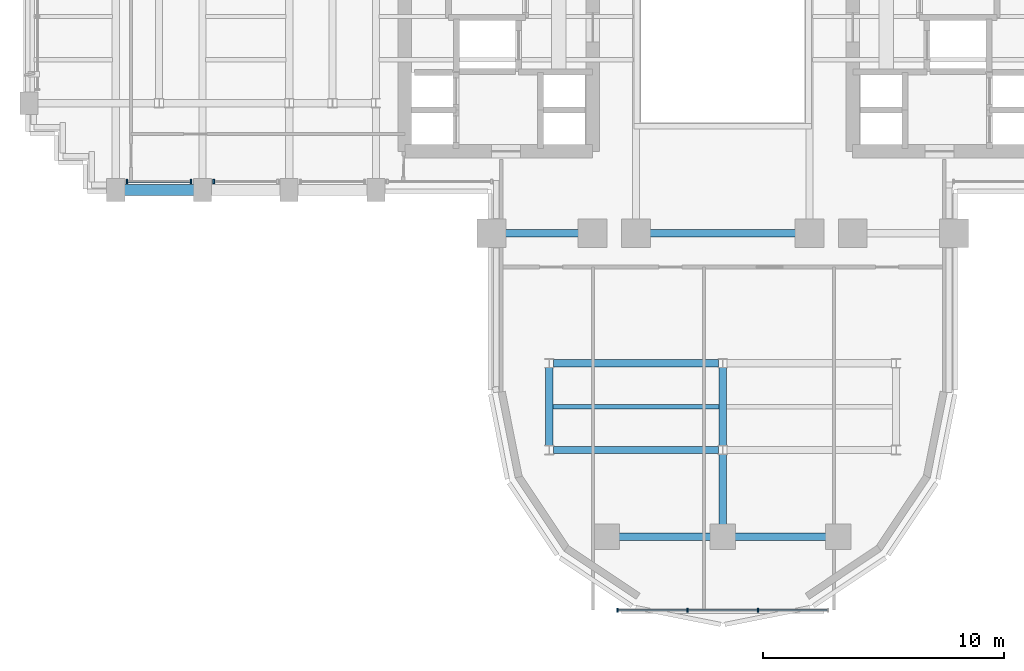
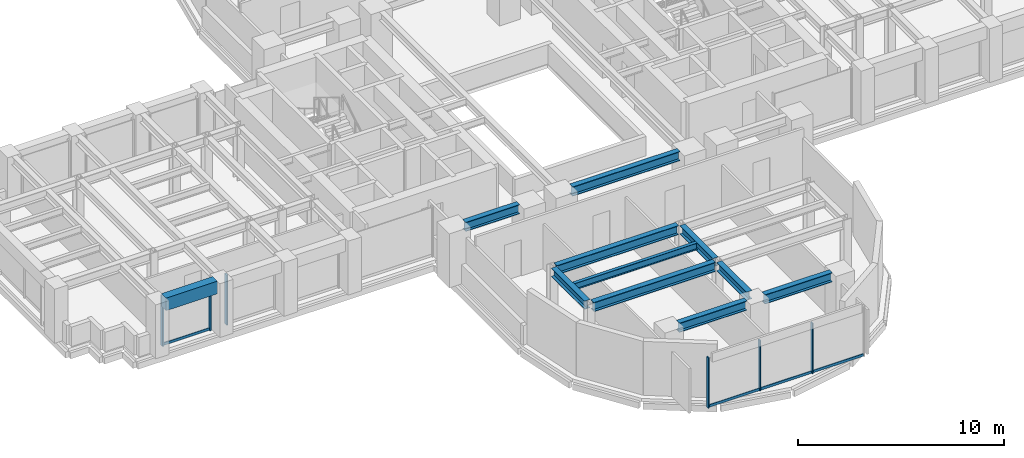
# One storey, part 3 of 16: 11 beams, 10 members, 3 elements without a shape of their own.
"""IFC4 building model written with IfcOpenShell, lengths in metres."""

from ifc_helpers import new_model, si_unit, direction, frame, origin, origin_2d, place, context, subcontext, project, spatial, rectangle, i_section, extrude, source, transform, mapped, material, material_profile, profile_set, type_object, element, aggregate, save


model = new_model("IFC4")

# Units and contexts
model_context = context("Model", 3, precision=1e-05, world=origin(), true_north=direction((0.0, 1.0)))
body_context = subcontext(model_context, "Body", "Model", "MODEL_VIEW")
ifc_project = project(units=[si_unit("LENGTHUNIT", "METRE"), si_unit("AREAUNIT", "SQUARE_METRE"), si_unit("VOLUMEUNIT", "CUBIC_METRE"), si_unit("PLANEANGLEUNIT", "RADIAN"), si_unit("MASSUNIT", "GRAM", prefix="KILO")], contexts=[model_context])

# Site, building, storey
site_placement = place(None, origin())
site = spatial("IfcSite", under=ifc_project, at=site_placement, CompositionType="ELEMENT")
building_placement = place(site_placement, origin())
building = spatial("IfcBuilding", under=site, at=building_placement, Name="Keilestroom Media Tower", CompositionType="ELEMENT")
storey_placement = place(building_placement, frame((0.0, 0.0, 78.199951171875)))
storey = spatial("IfcBuildingStorey", under=building, at=storey_placement, Name="L20", CompositionType="ELEMENT", Elevation=78.199951171875)

# Beams
ifc_material_1 = material(Name="Steel S355", Category="steel")
ifc_material_profile_1 = material_profile(ifc_material_1, i_section(OverallWidth=0.300048828125, OverallDepth=0.550048828125, WebThickness=0.012939453125, FlangeThickness=0.029052734375, at=origin_2d()), Name="HEB 550")
ifc_profile_set_1 = profile_set([ifc_material_profile_1], Name="Steel S355")
beam_type_1 = type_object("IfcBeamType", Name="Primary-Structural-Girder-HEB-550", PredefinedType="BEAM", material=ifc_profile_set_1)
shared_shape_1 = source(origin(), body_context, "Body", "SweptSolid", [
    extrude(i_section(OverallWidth=0.300048828125, OverallDepth=0.550048828125, WebThickness=0.012939453125, FlangeThickness=0.029052734375, at=origin_2d()), origin(), (0.0, 0.0, 1.0), 3.7900390625),
])
for number, where, z_axis, x_axis, name in (
    (1, (-4.294921875, -21.60009765625, 2.925048828125), (1.0, 0.0, 0.0), (0.0, 1.0, 0.0), "L20 Beam BG-5 BM-L20-EW-001"),
    (2, (0.5048828125, -21.60009765625, 2.925048828125), (1.0, 0.0, 0.0), (0.0, 1.0, 0.0), "L20 Beam BG-5 BM-L20-EW-002"),
):
    element("IfcBeam", number, at=place(storey_placement, frame(where, z_axis=z_axis, x_axis=x_axis)), inside=storey, type_object=beam_type_1, Name=name, PredefinedType="BEAM", context=body_context, shape_type="MappedRepresentation", body=[
        mapped(shared_shape_1, transform((0.0, 0.0, 0.0), x_axis=(1.0, 0.0, 0.0), y_axis=(0.0, 1.0, 0.0), z_axis=(0.0, 0.0, 1.0), scale=1.0)),
    ])
shared_shape_2 = source(origin(), body_context, "Body", "SweptSolid", [
    extrude(i_section(OverallWidth=0.300048828125, OverallDepth=0.550048828125, WebThickness=0.012939453125, FlangeThickness=0.029052734375, at=origin_2d()), origin(), (0.0, 0.0, 1.0), 6.836181640625),
])
for number, where, z_axis, x_axis, name in (
    (3, (-7.01806640625, -18.0, 2.925048828125), (1.0, 0.0, 0.0), (0.0, 1.0, 0.0), "L20 Beam BG-5 BM-L20-EW-003"),
    (4, (-7.01806640625, -14.39990234375, 2.925048828125), (1.0, 0.0, 0.0), (0.0, 1.0, 0.0), "L20 Beam BG-5 BM-L20-EW-005"),
):
    element("IfcBeam", number, at=place(storey_placement, frame(where, z_axis=z_axis, x_axis=x_axis)), inside=storey, type_object=beam_type_1, Name=name, PredefinedType="BEAM", context=body_context, shape_type="MappedRepresentation", body=[
        mapped(shared_shape_2, transform((0.0, 0.0, 0.0), x_axis=(1.0, 0.0, 0.0), y_axis=(0.0, 1.0, 0.0), z_axis=(0.0, 0.0, 1.0), scale=1.0)),
    ])
shared_shape_3 = source(origin(), body_context, "Body", "SweptSolid", [
    extrude(i_section(OverallWidth=0.300048828125, OverallDepth=0.550048828125, WebThickness=0.012939453125, FlangeThickness=0.029052734375, at=origin_2d()), origin(), (0.0, 0.0, 1.0), 3.0400390625),
])
beam_1_placement = place(storey_placement, frame((-9.02001953125, -9.0, 2.925048828125), z_axis=(1.0, 0.0, 0.0), x_axis=(0.0, 1.0, 0.0)))
element("IfcBeam", 5, at=beam_1_placement, inside=storey, type_object=beam_type_1, Name="L20 Beam BG-5 BM-L20-EW-007", PredefinedType="BEAM", context=body_context, shape_type="MappedRepresentation", body=[
    mapped(shared_shape_3, transform((0.0, 0.0, 0.0), x_axis=(1.0, 0.0, 0.0), y_axis=(0.0, 1.0, 0.0), z_axis=(0.0, 0.0, 1.0), scale=1.0)),
])
shared_shape_4 = source(origin(), body_context, "Body", "SweptSolid", [
    extrude(i_section(OverallWidth=0.300048828125, OverallDepth=0.550048828125, WebThickness=0.012939453125, FlangeThickness=0.029052734375, at=origin_2d()), origin(), (0.0, 0.0, 1.0), 6.0400390625),
])
beam_2_placement = place(storey_placement, frame((-3.02001953125, -9.0, 2.925048828125), z_axis=(1.0, 0.0, 0.0), x_axis=(0.0, 1.0, 0.0)))
element("IfcBeam", 6, at=beam_2_placement, inside=storey, type_object=beam_type_1, Name="L20 Beam BG-5 BM-L20-EW-009", PredefinedType="BEAM", context=body_context, shape_type="MappedRepresentation", body=[
    mapped(shared_shape_4, transform((0.0, 0.0, 0.0), x_axis=(1.0, 0.0, 0.0), y_axis=(0.0, 1.0, 0.0), z_axis=(0.0, 0.0, 1.0), scale=1.0)),
])
ifc_material_2 = material(Name="Precast concrete C40/50", Category="concrete")
ifc_material_profile_2 = material_profile(ifc_material_2, rectangle(XDim=0.449951171875, YDim=0.75, at=origin_2d()), Name="PC 450x750")
ifc_profile_set_2 = profile_set([ifc_material_profile_2], Name="Precast concrete C40/50")
beam_type_2 = type_object("IfcBeamType", Name="Perimeter-Spandrel-Beam-PC-450x750", PredefinedType="SPANDREL", material=ifc_profile_set_2)
shared_shape_5 = source(origin(), body_context, "Body", "SweptSolid", [
    extrude(rectangle(XDim=0.449951171875, YDim=0.75, at=origin_2d()), origin(), (0.0, 0.0, 1.0), 2.889892578125),
])
beam_3_placement = place(storey_placement, frame((-24.844970703125, -7.199951171875, 2.824951171875), z_axis=(1.0, 0.0, 0.0), x_axis=(0.0, 1.0, 0.0)))
element("IfcBeam", 7, at=beam_3_placement, inside=storey, type_object=beam_type_2, Name="L20 Beam SPB-1 BM-L20-EW-012", PredefinedType="SPANDREL", context=body_context, shape_type="MappedRepresentation", body=[
    mapped(shared_shape_5, transform((0.0, 0.0, 0.0), x_axis=(1.0, 0.0, 0.0), y_axis=(0.0, 1.0, 0.0), z_axis=(0.0, 0.0, 1.0), scale=1.0)),
])
ifc_material_profile_3 = material_profile(ifc_material_1, i_section(OverallWidth=0.300048828125, OverallDepth=0.5, WebThickness=0.012451171875, FlangeThickness=0.028076171875, at=origin_2d()), Name="HEB 500")
ifc_profile_set_3 = profile_set([ifc_material_profile_3], Name="Steel S355")
beam_type_3 = type_object("IfcBeamType", Name="Primary-Structural-Girder-HEB-500", PredefinedType="BEAM", material=ifc_profile_set_3)
shared_shape_6 = source(origin(), body_context, "Body", "SweptSolid", [
    extrude(i_section(OverallWidth=0.300048828125, OverallDepth=0.5, WebThickness=0.012451171875, FlangeThickness=0.028076171875, at=origin_2d()), origin(), (0.0, 0.0, 1.0), 3.23291015625),
])
for number, where, z_axis, x_axis, name in (
    (8, (-7.199951171875, -17.81640625, 2.949951171875), (0.0, 1.0, 0.0), (-1.0, 0.0, 0.0), "L20 Beam BG-6 BM-L20-NS-063"),
    (9, (0.0, -17.81640625, 2.949951171875), (0.0, 1.0, 0.0), (-1.0, 0.0, 0.0), "L20 Beam BG-6 BM-L20-NS-068"),
):
    element("IfcBeam", number, at=place(storey_placement, frame(where, z_axis=z_axis, x_axis=x_axis)), inside=storey, type_object=beam_type_3, Name=name, PredefinedType="BEAM", context=body_context, shape_type="MappedRepresentation", body=[
        mapped(shared_shape_6, transform((0.0, 0.0, 0.0), x_axis=(1.0, 0.0, 0.0), y_axis=(0.0, 1.0, 0.0), z_axis=(0.0, 0.0, 1.0), scale=1.0)),
    ])
shared_shape_7 = source(origin(), body_context, "Body", "SweptSolid", [
    extrude(i_section(OverallWidth=0.300048828125, OverallDepth=0.5, WebThickness=0.012451171875, FlangeThickness=0.028076171875, at=origin_2d()), origin(), (0.0, 0.0, 1.0), 2.911376953125),
])
beam_4_placement = place(storey_placement, frame((0.0, -21.094970703125, 2.949951171875), z_axis=(0.0, 1.0, 0.0), x_axis=(-1.0, 0.0, 0.0)))
element("IfcBeam", 10, at=beam_4_placement, inside=storey, type_object=beam_type_3, Name="L20 Beam BG-6 BM-L20-NS-067", PredefinedType="BEAM", context=body_context, shape_type="MappedRepresentation", body=[
    mapped(shared_shape_7, transform((0.0, 0.0, 0.0), x_axis=(1.0, 0.0, 0.0), y_axis=(0.0, 1.0, 0.0), z_axis=(0.0, 0.0, 1.0), scale=1.0)),
])
ifc_material_profile_4 = material_profile(ifc_material_1, i_section(OverallWidth=0.179931640625, OverallDepth=0.39990234375, WebThickness=0.008544921875, FlangeThickness=0.013427734375, at=origin_2d()), Name="IPE 400")
ifc_profile_set_4 = profile_set([ifc_material_profile_4], Name="Steel S355")
beam_type_4 = type_object("IfcBeamType", Name="Secondary-Floor-Joist-IPE-400", PredefinedType="JOIST", material=ifc_profile_set_4)
shared_shape_8 = source(origin(), body_context, "Body", "SweptSolid", [
    extrude(i_section(OverallWidth=0.179931640625, OverallDepth=0.39990234375, WebThickness=0.008544921875, FlangeThickness=0.013427734375, at=origin_2d()), origin(), (0.0, 0.0, 1.0), 6.940185546875),
])
beam_5_placement = place(storey_placement, frame((-7.070068359375, -16.199951171875, 3.0), z_axis=(1.0, 0.0, 0.0), x_axis=(0.0, 1.0, 0.0)))
element("IfcBeam", 11, at=beam_5_placement, inside=storey, type_object=beam_type_4, Name="L20 Beam BJ-4 JST-L20-087", PredefinedType="JOIST", context=body_context, shape_type="MappedRepresentation", body=[
    mapped(shared_shape_8, transform((0.0, 0.0, 0.0), x_axis=(1.0, 0.0, 0.0), y_axis=(0.0, 1.0, 0.0), z_axis=(0.0, 0.0, 1.0), scale=1.0)),
])

# Curtain wall, members
ifc_material_3 = material(Name="Anodised Aluminium Alloy", Category="aluminium")
curtain_wall_type_1 = type_object("IfcCurtainWallType", Name="Unitised-Curtain-Wall-CW-1", PredefinedType="NOTDEFINED", material=ifc_material_3)
curtain_wall_1_placement = place(storey_placement, origin())
curtain_wall_1 = element("IfcCurtainWall", 12, at=curtain_wall_1_placement, inside=storey, type_object=curtain_wall_type_1, Name="L20 Curtain Wall CW-1 CW-L20-SW-1", PredefinedType="NOTDEFINED")
ifc_material_profile_5 = material_profile(ifc_material_3, rectangle(XDim=0.070068359375, YDim=0.199951171875, at=origin_2d()), Name="ALU MULLION 70x200")
ifc_profile_set_5 = profile_set([ifc_material_profile_5], Name="Anodised Aluminium Alloy")
member_type_1 = type_object("IfcMemberType", Name="Curtain-Wall-Mullion-CW-1", PredefinedType="MULLION", material=ifc_profile_set_5)
shared_shape_9 = source(origin(), body_context, "Body", "SweptSolid", [
    extrude(rectangle(XDim=0.070068359375, YDim=0.199951171875, at=origin_2d()), origin(), (0.0, 0.0, 1.0), 2.97998046875),
])
member_1_placement = place(storey_placement, frame((-24.72998046875, -6.85009765625, 0.0), z_axis=(0.0, 0.0, 1.0), x_axis=(1.0, 0.0, 0.0)))
member_1 = element("IfcMember", 13, at=member_1_placement, type_object=member_type_1, Name="CW-1 Mullion 00", PredefinedType="MULLION", context=body_context, shape_type="MappedRepresentation", body=[
    mapped(shared_shape_9, transform((0.0, 0.0, 0.0), x_axis=(1.0, 0.0, 0.0), y_axis=(0.0, 1.0, 0.0), z_axis=(0.0, 0.0, 1.0), scale=1.0)),
])
member_2_placement = place(storey_placement, frame((-22.070068359375, -6.85009765625, 0.0), z_axis=(0.0, 0.0, 1.0), x_axis=(1.0, 0.0, 0.0)))
member_2 = element("IfcMember", 14, at=member_2_placement, type_object=member_type_1, Name="CW-1 Mullion 01", PredefinedType="MULLION", context=body_context, shape_type="MappedRepresentation", body=[
    mapped(shared_shape_9, transform((0.0, 0.0, 0.0), x_axis=(1.0, 0.0, 0.0), y_axis=(0.0, 1.0, 0.0), z_axis=(0.0, 0.0, 1.0), scale=1.0)),
])

# Curtain wall, member
curtain_wall_2_placement = place(storey_placement, origin())
curtain_wall_2 = element("IfcCurtainWall", 15, at=curtain_wall_2_placement, inside=storey, type_object=curtain_wall_type_1, Name="L20 Curtain Wall CW-1 CW-L20-SW-2", PredefinedType="NOTDEFINED")
member_3_placement = place(storey_placement, frame((-21.1298828125, -6.85009765625, 0.0), z_axis=(0.0, 0.0, 1.0), x_axis=(1.0, 0.0, 0.0)))
member_3 = element("IfcMember", 16, at=member_3_placement, type_object=member_type_1, Name="CW-1 Mullion 00", PredefinedType="MULLION", context=body_context, shape_type="MappedRepresentation", body=[
    mapped(shared_shape_9, transform((0.0, 0.0, 0.0), x_axis=(1.0, 0.0, 0.0), y_axis=(0.0, 1.0, 0.0), z_axis=(0.0, 0.0, 1.0), scale=1.0)),
])
aggregate(curtain_wall_2, [member_3])

# Member
ifc_material_profile_6 = material_profile(ifc_material_3, rectangle(XDim=0.06494140625, YDim=0.14990234375, at=origin_2d()), Name="ALU TRANSOM 65x150")
ifc_profile_set_6 = profile_set([ifc_material_profile_6], Name="Anodised Aluminium Alloy")
member_type_2 = type_object("IfcMemberType", Name="Curtain-Wall-Transom-CW-1", PredefinedType="USERDEFINED", material=ifc_profile_set_6)
shared_shape_10 = source(origin(), body_context, "Body", "SweptSolid", [
    extrude(rectangle(XDim=0.06494140625, YDim=0.14990234375, at=origin_2d()), origin(), (0.0, 0.0, 1.0), 2.593994140625),
])
member_4_placement = place(storey_placement, frame((-24.697021484375, -6.85009765625, 0.074951171875), z_axis=(1.0, 0.0, 0.0), x_axis=(0.0, 1.0, 0.0)))
member_4 = element("IfcMember", 17, at=member_4_placement, type_object=member_type_2, Name="CW-1 Transom 00.1", ObjectType="TRANSOM", PredefinedType="USERDEFINED", context=body_context, shape_type="MappedRepresentation", body=[
    mapped(shared_shape_10, transform((0.0, 0.0, 0.0), x_axis=(1.0, 0.0, 0.0), y_axis=(0.0, 1.0, 0.0), z_axis=(0.0, 0.0, 1.0), scale=1.0)),
])

aggregate(curtain_wall_1, [member_1, member_2, member_4])

# Curtain wall, members
curtain_wall_type_2 = type_object("IfcCurtainWallType", Name="Unitised-Curtain-Wall-CW-6", PredefinedType="NOTDEFINED", material=ifc_material_3)
curtain_wall_3_placement = place(storey_placement, origin())
curtain_wall_3 = element("IfcCurtainWall", 18, at=curtain_wall_3_placement, inside=storey, type_object=curtain_wall_type_2, Name="L20 Curtain Wall CW-6 CW-L20-LS-1", PredefinedType="NOTDEFINED")
ifc_material_profile_7 = material_profile(ifc_material_3, rectangle(XDim=0.06494140625, YDim=0.179931640625, at=origin_2d()), Name="ALU MULLION 65x180")
ifc_profile_set_7 = profile_set([ifc_material_profile_7], Name="Anodised Aluminium Alloy")
member_type_3 = type_object("IfcMemberType", Name="Curtain-Wall-Mullion-CW-6", PredefinedType="MULLION", material=ifc_profile_set_7)
shared_shape_11 = source(origin(), body_context, "Body", "SweptSolid", [
    extrude(rectangle(XDim=0.06494140625, YDim=0.179931640625, at=origin_2d()), origin(), (0.0, 0.0, 1.0), 2.97998046875),
])
member_5_placement = place(storey_placement, frame((-4.367431640625, -24.64990234375, 0.0), z_axis=(0.0, 0.0, 1.0), x_axis=(1.0, 0.0, 0.0)))
member_5 = element("IfcMember", 19, at=member_5_placement, type_object=member_type_3, Name="CW-6 Mullion 00", PredefinedType="MULLION", context=body_context, shape_type="MappedRepresentation", body=[
    mapped(shared_shape_11, transform((0.0, 0.0, 0.0), x_axis=(1.0, 0.0, 0.0), y_axis=(0.0, 1.0, 0.0), z_axis=(0.0, 0.0, 1.0), scale=1.0)),
])
member_6_placement = place(storey_placement, frame((-1.466796875, -24.64990234375, 0.0), z_axis=(0.0, 0.0, 1.0), x_axis=(1.0, 0.0, 0.0)))
member_6 = element("IfcMember", 20, at=member_6_placement, type_object=member_type_3, Name="CW-6 Mullion 01", PredefinedType="MULLION", context=body_context, shape_type="MappedRepresentation", body=[
    mapped(shared_shape_11, transform((0.0, 0.0, 0.0), x_axis=(1.0, 0.0, 0.0), y_axis=(0.0, 1.0, 0.0), z_axis=(0.0, 0.0, 1.0), scale=1.0)),
])
member_7_placement = place(storey_placement, frame((1.466796875, -24.64990234375, 0.0), z_axis=(0.0, 0.0, 1.0), x_axis=(1.0, 0.0, 0.0)))
member_7 = element("IfcMember", 21, at=member_7_placement, type_object=member_type_3, Name="CW-6 Mullion 02", PredefinedType="MULLION", context=body_context, shape_type="MappedRepresentation", body=[
    mapped(shared_shape_11, transform((0.0, 0.0, 0.0), x_axis=(1.0, 0.0, 0.0), y_axis=(0.0, 1.0, 0.0), z_axis=(0.0, 0.0, 1.0), scale=1.0)),
])
ifc_material_profile_8 = material_profile(ifc_material_3, rectangle(XDim=0.06494140625, YDim=0.14990234375, at=origin_2d()), Name="ALU TRANSOM 65x150")
ifc_profile_set_8 = profile_set([ifc_material_profile_8], Name="Anodised Aluminium Alloy")
member_type_4 = type_object("IfcMemberType", Name="Curtain-Wall-Transom-CW-6", PredefinedType="USERDEFINED", material=ifc_profile_set_8)
shared_shape_12 = source(origin(), body_context, "Body", "SweptSolid", [
    extrude(rectangle(XDim=0.06494140625, YDim=0.14990234375, at=origin_2d()), origin(), (0.0, 0.0, 1.0), 2.839599609375),
])
member_8_placement = place(storey_placement, frame((-4.3369140625, -24.64990234375, 0.074951171875), z_axis=(1.0, 0.0, 0.0), x_axis=(0.0, 1.0, 0.0)))
member_8 = element("IfcMember", 22, at=member_8_placement, type_object=member_type_4, Name="CW-6 Transom 00.1", ObjectType="TRANSOM", PredefinedType="USERDEFINED", context=body_context, shape_type="MappedRepresentation", body=[
    mapped(shared_shape_12, transform((0.0, 0.0, 0.0), x_axis=(1.0, 0.0, 0.0), y_axis=(0.0, 1.0, 0.0), z_axis=(0.0, 0.0, 1.0), scale=1.0)),
])
member_9_placement = place(storey_placement, frame((1.497314453125, -24.64990234375, 0.074951171875), z_axis=(1.0, 0.0, 0.0), x_axis=(0.0, 1.0, 0.0)))
member_9 = element("IfcMember", 23, at=member_9_placement, type_object=member_type_4, Name="CW-6 Transom 02.1", ObjectType="TRANSOM", PredefinedType="USERDEFINED", context=body_context, shape_type="MappedRepresentation", body=[
    mapped(shared_shape_12, transform((0.0, 0.0, 0.0), x_axis=(1.0, 0.0, 0.0), y_axis=(0.0, 1.0, 0.0), z_axis=(0.0, 0.0, 1.0), scale=1.0)),
])
shared_shape_13 = source(origin(), body_context, "Body", "SweptSolid", [
    extrude(rectangle(XDim=0.06494140625, YDim=0.14990234375, at=origin_2d()), origin(), (0.0, 0.0, 1.0), 2.87255859375),
])
member_10_placement = place(storey_placement, frame((-1.436279296875, -24.64990234375, 0.074951171875), z_axis=(1.0, 0.0, 0.0), x_axis=(0.0, 1.0, 0.0)))
member_10 = element("IfcMember", 24, at=member_10_placement, type_object=member_type_4, Name="CW-6 Transom 01.1", ObjectType="TRANSOM", PredefinedType="USERDEFINED", context=body_context, shape_type="MappedRepresentation", body=[
    mapped(shared_shape_13, transform((0.0, 0.0, 0.0), x_axis=(1.0, 0.0, 0.0), y_axis=(0.0, 1.0, 0.0), z_axis=(0.0, 0.0, 1.0), scale=1.0)),
])
aggregate(curtain_wall_3, [member_5, member_6, member_7, member_8, member_10, member_9])

save(model, "model.ifc")
